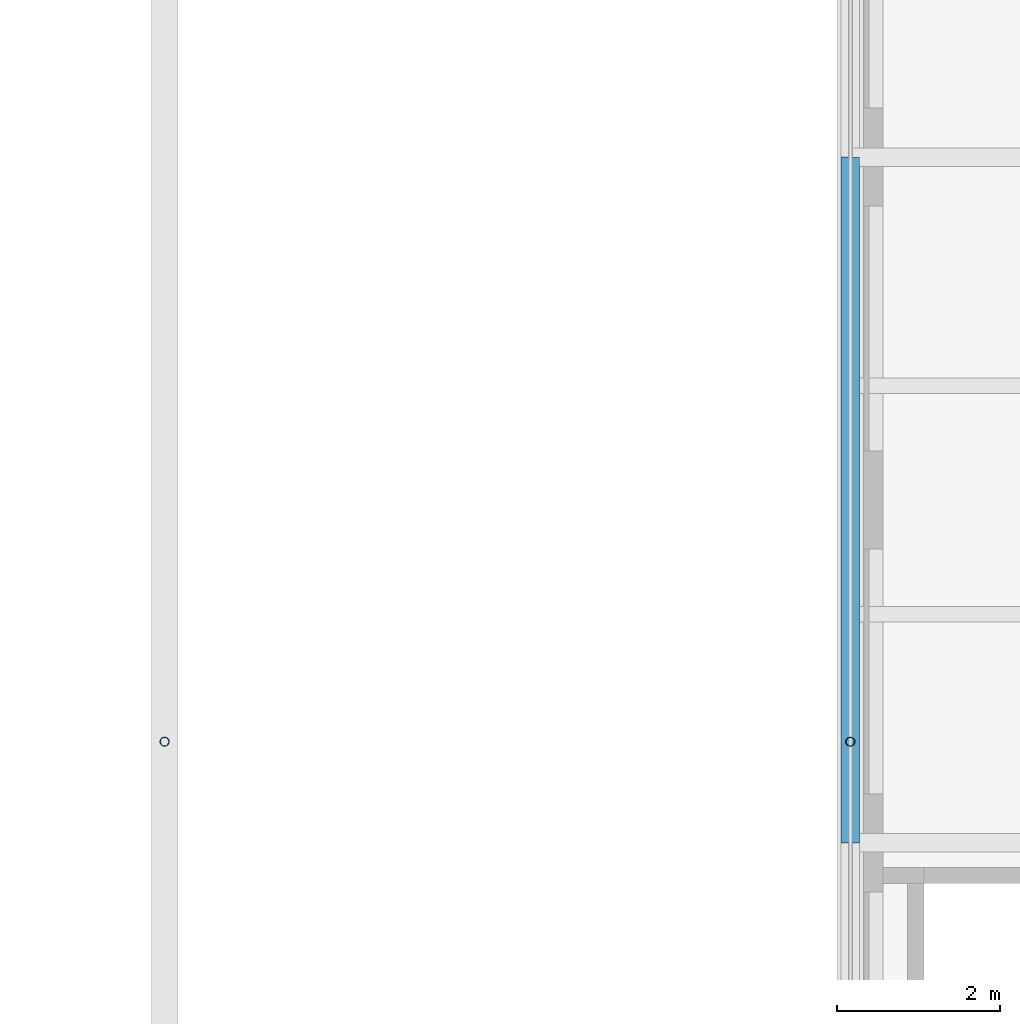
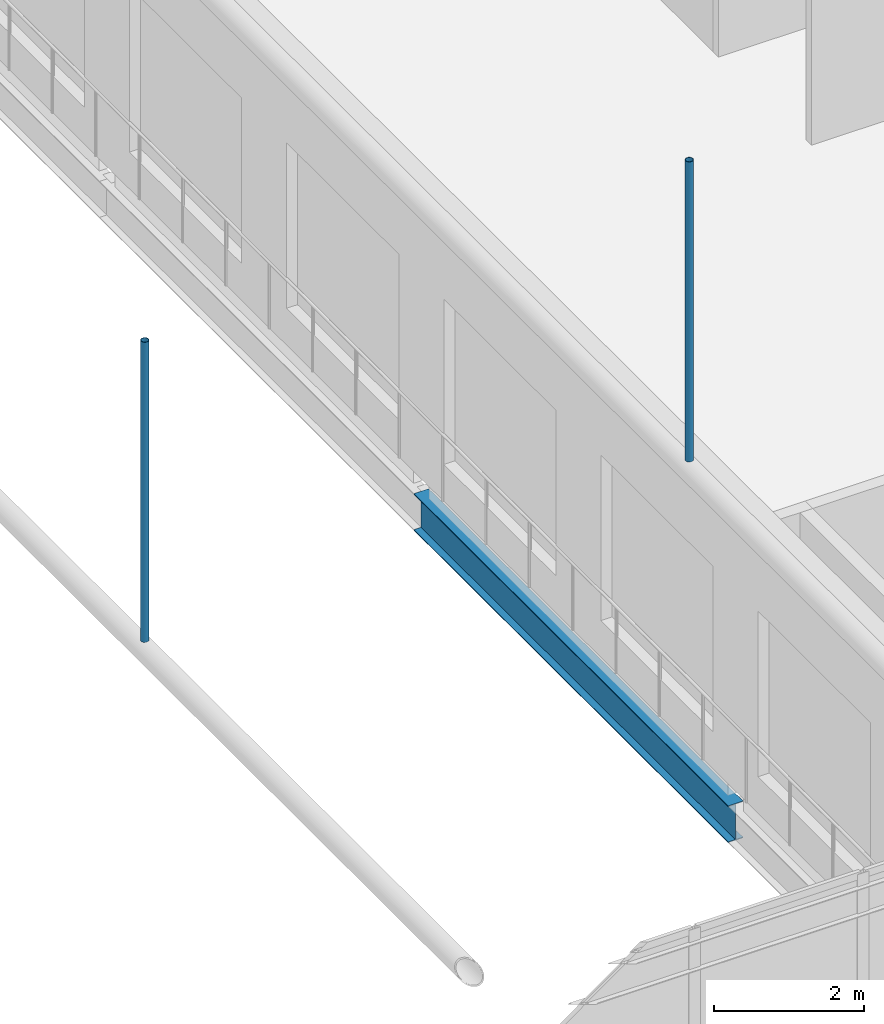
# One storey, part 26 of 167: 2 members, 1 beam.
"""IFC4 building model written with IfcOpenShell, lengths in metres."""

from ifc_helpers import new_model, si_unit, direction, frame, origin, origin_2d, place, context, subcontext, project, spatial, hollow_circle, i_section, extrude, material, material_profile, profile_set, type_object, element, save


model = new_model("IFC4")

# Units and contexts
model_context = context("Model", 3, precision=1e-05, world=origin(), true_north=direction((0.0, 1.0)))
body_context = subcontext(model_context, "Body", "Model", "MODEL_VIEW")
ifc_project = project(units=[si_unit("LENGTHUNIT", "METRE"), si_unit("AREAUNIT", "SQUARE_METRE"), si_unit("VOLUMEUNIT", "CUBIC_METRE"), si_unit("PLANEANGLEUNIT", "RADIAN"), si_unit("MASSUNIT", "GRAM", prefix="KILO")], contexts=[model_context])

# Site, building, storey
site_placement = place(None, origin())
site = spatial("IfcSite", under=ifc_project, at=site_placement, CompositionType="ELEMENT")
building_placement = place(site_placement, origin())
building = spatial("IfcBuilding", under=site, at=building_placement, Name="Catenary Quay Ferry Terminal", CompositionType="ELEMENT")
storey_placement = place(building_placement, frame((0.0, 0.0, 6.0)))
storey = spatial("IfcBuildingStorey", under=building, at=storey_placement, Name="L01", CompositionType="ELEMENT", Elevation=6.0)

# Beam
ifc_material_1 = material(Name="Steel S355", Category="steel")
ifc_material_profile_1 = material_profile(ifc_material_1, i_section(OverallWidth=0.2275390625, OverallDepth=0.6025390625, WebThickness=0.010498046875, FlangeThickness=0.014892578125, at=origin_2d()), Name="UB 610x229x101")
ifc_profile_set_1 = profile_set([ifc_material_profile_1], Name="Steel S355")
beam_type = type_object("IfcBeamType", Name="B3 UB 610x229x101", PredefinedType="BEAM", material=ifc_profile_set_1)
beam_placement = place(storey_placement, frame((58.800048828125, 75.60009765625, -0.5009765625), z_axis=(0.0, 1.0, 0.0), x_axis=(-1.0, 0.0, 0.0)))
element("IfcBeam", 1, at=beam_placement, inside=storey, type_object=beam_type, Name="Beam B3-026", PredefinedType="BEAM", context=body_context, shape_type="SweptSolid", body=[
    extrude(i_section(OverallWidth=0.2275390625, OverallDepth=0.6025390625, WebThickness=0.010498046875, FlangeThickness=0.014892578125, at=origin_2d()), origin(), (0.0, 0.0, 1.0), 8.39990234375),
])

# Members
ifc_material_2 = material(Name="Steel S355", Category="steel")
ifc_material_profile_2 = material_profile(ifc_material_2, hollow_circle(Radius=0.05712890625, WallThickness=0.00634765625, at=origin_2d()), Name="CHS 114.3x6.3")
ifc_profile_set_2 = profile_set([ifc_material_profile_2], Name="Steel S355")
member_type = type_object("IfcMemberType", Name="HG1 CHS 114.3x6.3", PredefinedType="POST", material=ifc_profile_set_2)
for number, where, z_axis, x_axis, name in (
    (2, (50.39990234375, 76.840087890625, 4.654052734375), (0.0, 0.0, 1.0), (1.0, 0.0, 0.0), "Hanger VA-04-03"),
    (3, (58.800048828125, 76.840087890625, 4.654052734375), (0.0, 0.0, 1.0), (1.0, 0.0, 0.0), "Hanger VA-05-03"),
):
    element("IfcMember", number, at=place(storey_placement, frame(where, z_axis=z_axis, x_axis=x_axis)), inside=storey, type_object=member_type, Name=name, PredefinedType="POST", context=body_context, shape_type="SweptSolid", body=[
        extrude(hollow_circle(Radius=0.05712890625, WallThickness=0.00634765625, at=origin_2d()), origin(), (0.0, 0.0, 1.0), 4.89599609375),
    ])

save(model, "model.ifc")
